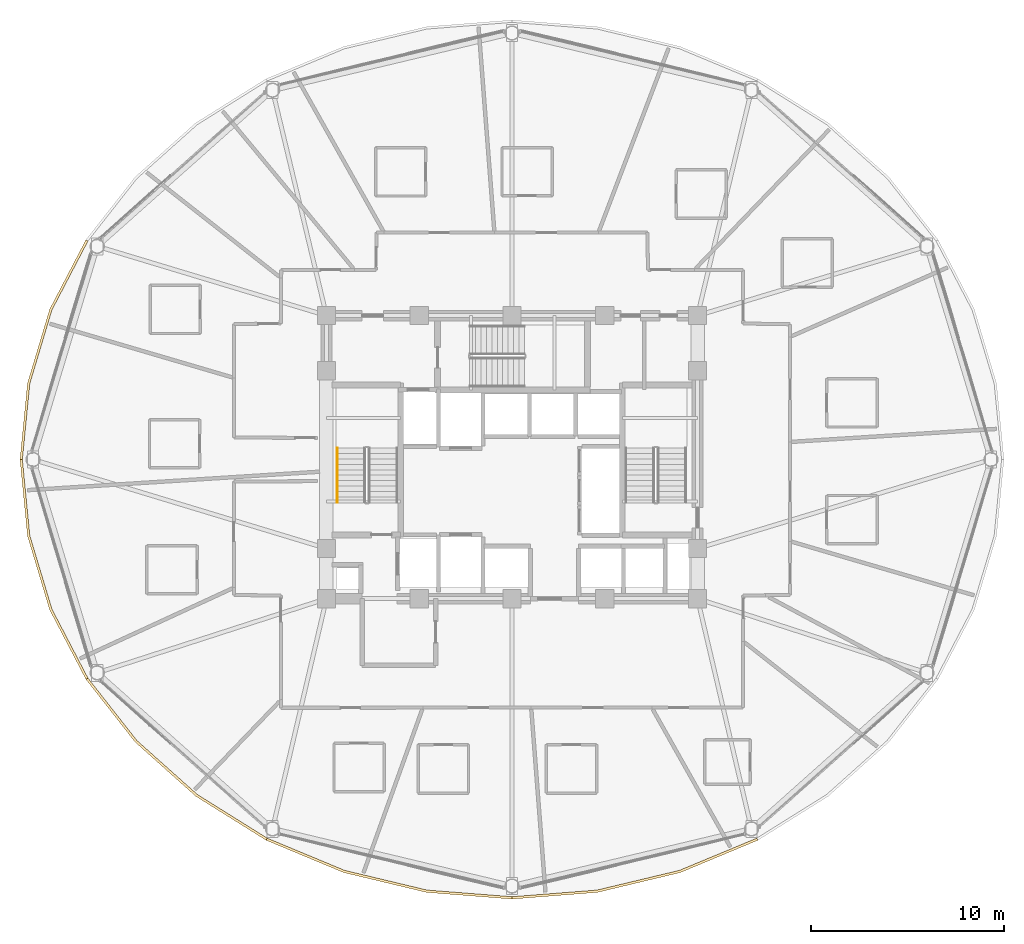
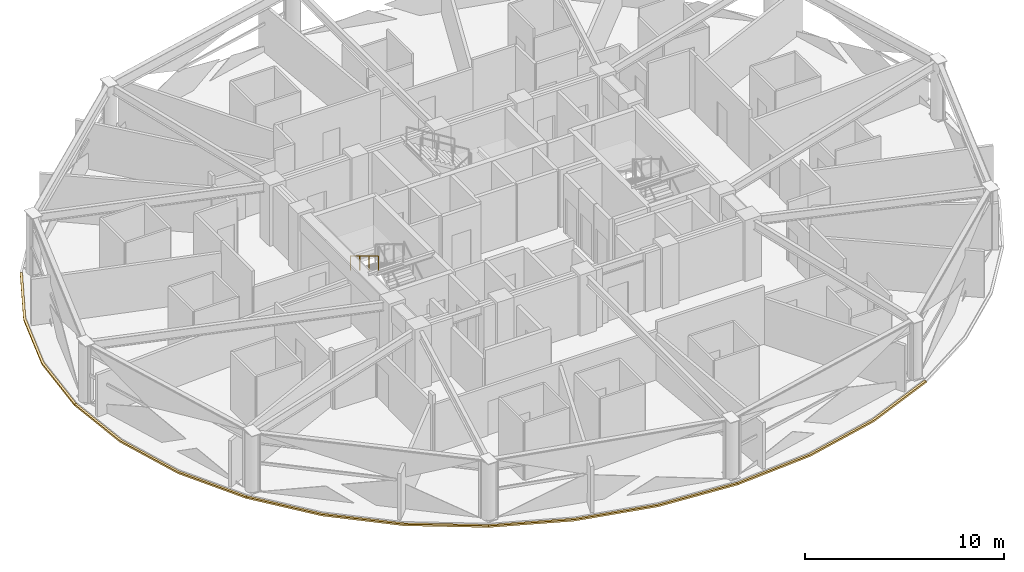
# One storey, part 27 of 30: 5 coverings, 1 railing.
"""IFC4 building model written with IfcOpenShell, lengths in metres."""

from ifc_helpers import new_model, si_unit, direction, frame, origin, origin_2d, place, context, subcontext, project, spatial, polyline, rectangle, outline, extrude, material, layer, layer_set, type_object, element, save


model = new_model("IFC4")

# Units and contexts
model_context = context("Model", 3, precision=1e-05, world=origin(), true_north=direction((0.0, 1.0)))
body_context = subcontext(model_context, "Body", "Model", "MODEL_VIEW")
ifc_project = project(units=[si_unit("LENGTHUNIT", "METRE"), si_unit("AREAUNIT", "SQUARE_METRE"), si_unit("VOLUMEUNIT", "CUBIC_METRE"), si_unit("PLANEANGLEUNIT", "RADIAN"), si_unit("MASSUNIT", "GRAM", prefix="KILO")], contexts=[model_context])

# Site, building, storey
site_placement = place(None, origin())
site = spatial("IfcSite", under=ifc_project, at=site_placement, CompositionType="ELEMENT")
building_placement = place(site_placement, origin())
building = spatial("IfcBuilding", under=site, at=building_placement, Name="Vantalir Tower", CompositionType="ELEMENT")
storey_placement = place(building_placement, frame((0.0, 0.0, 153.449951171875)))
storey = spatial("IfcBuildingStorey", under=building, at=storey_placement, Name="L38", CompositionType="ELEMENT", Elevation=153.449951171875)

# Coverings
ifc_material_1 = material(Name="Anodised champagne aluminium sill fascia", Category="aluminium")
ifc_layer = layer(ifc_material_1, 0.125)
ifc_layer_set = layer_set([ifc_layer], Name="Anodised champagne aluminium sill fascia")
covering_type = type_object("IfcCoveringType", Name="COV-SLAB-FASCIA-125", PredefinedType="CLADDING", material=ifc_layer_set)
covering_1_placement = place(storey_placement, frame((0.0, 0.0, -0.179931640625)))
element("IfcCovering", 1, at=covering_1_placement, inside=storey, type_object=covering_type, Name="L38 Perimeter Slab-Edge Sill Fascia 06", PredefinedType="CLADDING", context=body_context, shape_type="SweptSolid", body=[
    extrude(outline(polyline([(9.452880859375, 36.3720703125), (7.576904296875, 32.779052734375), (6.428955078125, 28.948974609375), (6.0419921875, 25.0), (6.1669921875, 25.0), (6.552001953125, 28.927978515625), (7.695068359375, 32.736083984375), (9.56103515625, 36.30908203125), (9.452880859375, 36.3720703125)])), origin(), (0.0, 0.0, 1.0), 0.10498046875),
])
covering_2_placement = place(storey_placement, frame((0.0, 0.0, -0.179931640625)))
element("IfcCovering", 2, at=covering_2_placement, inside=storey, type_object=covering_type, Name="L38 Perimeter Slab-Edge Sill Fascia 07", PredefinedType="CLADDING", context=body_context, shape_type="SweptSolid", body=[
    extrude(outline(polyline([(6.0419921875, 25.0), (6.428955078125, 21.051025390625), (7.576904296875, 17.220947265625), (9.452880859375, 13.6279296875), (9.56103515625, 13.68994140625), (7.695068359375, 17.263916015625), (6.552001953125, 21.072021484375), (6.1669921875, 25.0), (6.0419921875, 25.0)])), origin(), (0.0, 0.0, 1.0), 0.10498046875),
])
covering_3_placement = place(storey_placement, frame((0.0, 0.0, -0.179931640625)))
element("IfcCovering", 3, at=covering_3_placement, inside=storey, type_object=covering_type, Name="L38 Perimeter Slab-Edge Sill Fascia 08", PredefinedType="CLADDING", context=body_context, shape_type="SweptSolid", body=[
    extrude(outline(polyline([(9.452880859375, 13.6279296875), (11.998046875, 10.3798828125), (15.135986328125, 7.576904296875), (18.77099609375, 5.302978515625), (18.8330078125, 5.410888671875), (15.216064453125, 7.673095703125), (12.093994140625, 10.4609375), (9.56103515625, 13.68994140625), (9.452880859375, 13.6279296875)])), origin(), (0.0, 0.0, 1.0), 0.10498046875),
])
covering_4_placement = place(storey_placement, frame((0.0, 0.0, -0.179931640625)))
element("IfcCovering", 4, at=covering_4_placement, inside=storey, type_object=covering_type, Name="L38 Perimeter Slab-Edge Sill Fascia 09", PredefinedType="CLADDING", context=body_context, shape_type="SweptSolid", body=[
    extrude(outline(polyline([(18.77099609375, 5.302978515625), (22.79296875, 3.6279296875), (27.0791015625, 2.60205078125), (31.5, 2.256103515625), (31.5, 2.381103515625), (27.10107421875, 2.72509765625), (22.8359375, 3.7451171875), (18.8330078125, 5.410888671875), (18.77099609375, 5.302978515625)])), origin(), (0.0, 0.0, 1.0), 0.10498046875),
])
covering_5_placement = place(storey_placement, frame((0.0, 0.0, -0.179931640625)))
element("IfcCovering", 5, at=covering_5_placement, inside=storey, type_object=covering_type, Name="L38 Perimeter Slab-Edge Sill Fascia 10", PredefinedType="CLADDING", context=body_context, shape_type="SweptSolid", body=[
    extrude(outline(polyline([(31.5, 2.256103515625), (35.9208984375, 2.60205078125), (40.20703125, 3.6279296875), (44.22900390625, 5.302978515625), (44.1669921875, 5.410888671875), (40.1640625, 3.7451171875), (35.89892578125, 2.72509765625), (31.5, 2.381103515625), (31.5, 2.256103515625)])), origin(), (0.0, 0.0, 1.0), 0.10498046875),
])

# Railing
ifc_material_2 = material(Name="Brushed stainless steel tubular handrail", Category="steel")
railing_type = type_object("IfcRailingType", Name="RAL-HANDRAIL-900", PredefinedType="HANDRAIL", material=ifc_material_2)
railing_placement = place(storey_placement, frame((22.449951171875, 25.590087890625, 2.04541015625)))
element("IfcRailing", 6, at=railing_placement, inside=storey, type_object=railing_type, Name="L38 ST1 stair handrail 2", PredefinedType="HANDRAIL", context=body_context, shape_type="SweptSolid", body=[
    extrude(rectangle(XDim=0.048095703125, YDim=0.048095703125, at=origin_2d()), frame((0.0, 0.0, 0.8759765625), z_axis=(0.0, -0.854169791009, 0.51999420009), x_axis=(1.0, 0.0, 0.0)), (0.0, 0.0, 1.0), 3.278076171875),
    extrude(rectangle(XDim=0.0419921875, YDim=0.0419921875, at=origin_2d()), origin(), (0.0, 0.0, 1.0), 0.851806640625),
    extrude(rectangle(XDim=0.0419921875, YDim=0.0419921875, at=origin_2d()), frame((0.0, -0.933349609375, 0.568115234375)), (0.0, 0.0, 1.0), 0.851806640625),
    extrude(rectangle(XDim=0.0419921875, YDim=0.0419921875, at=origin_2d()), frame((0.0, -1.86669921875, 1.136474609375)), (0.0, 0.0, 1.0), 0.851806640625),
    extrude(rectangle(XDim=0.0419921875, YDim=0.0419921875, at=origin_2d()), frame((0.0, -2.800048828125, 1.70458984375)), (0.0, 0.0, 1.0), 0.851806640625),
])

save(model, "model.ifc")
